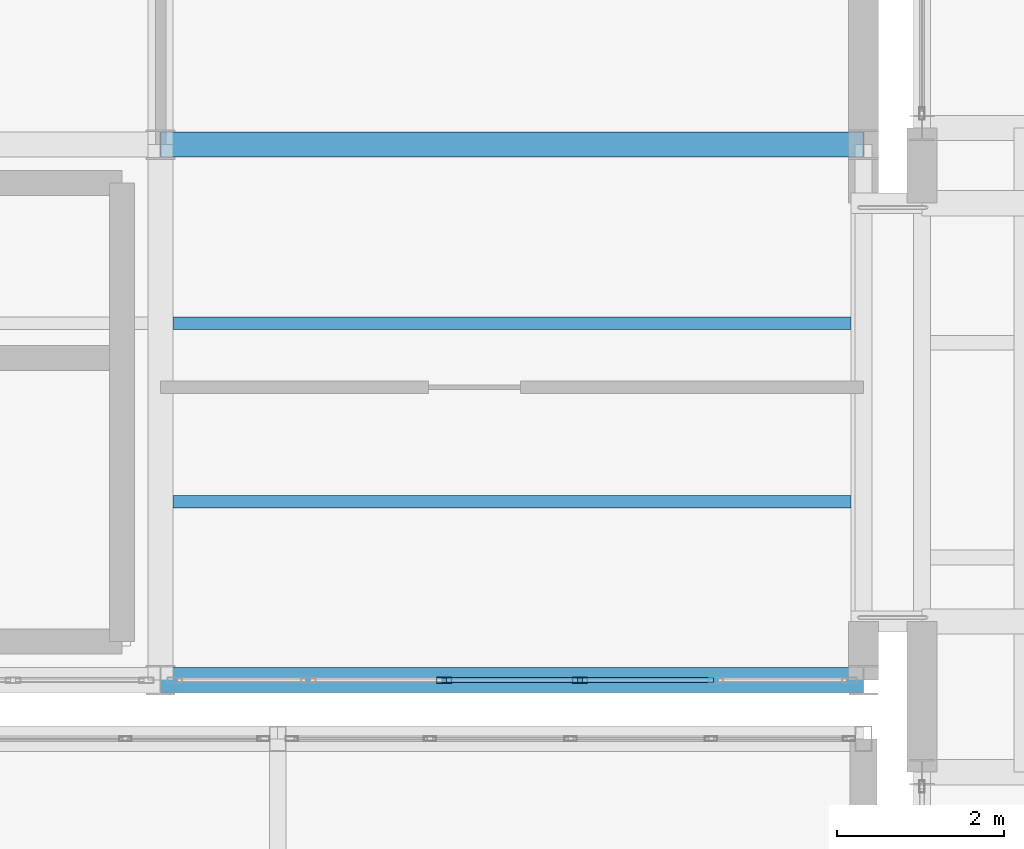
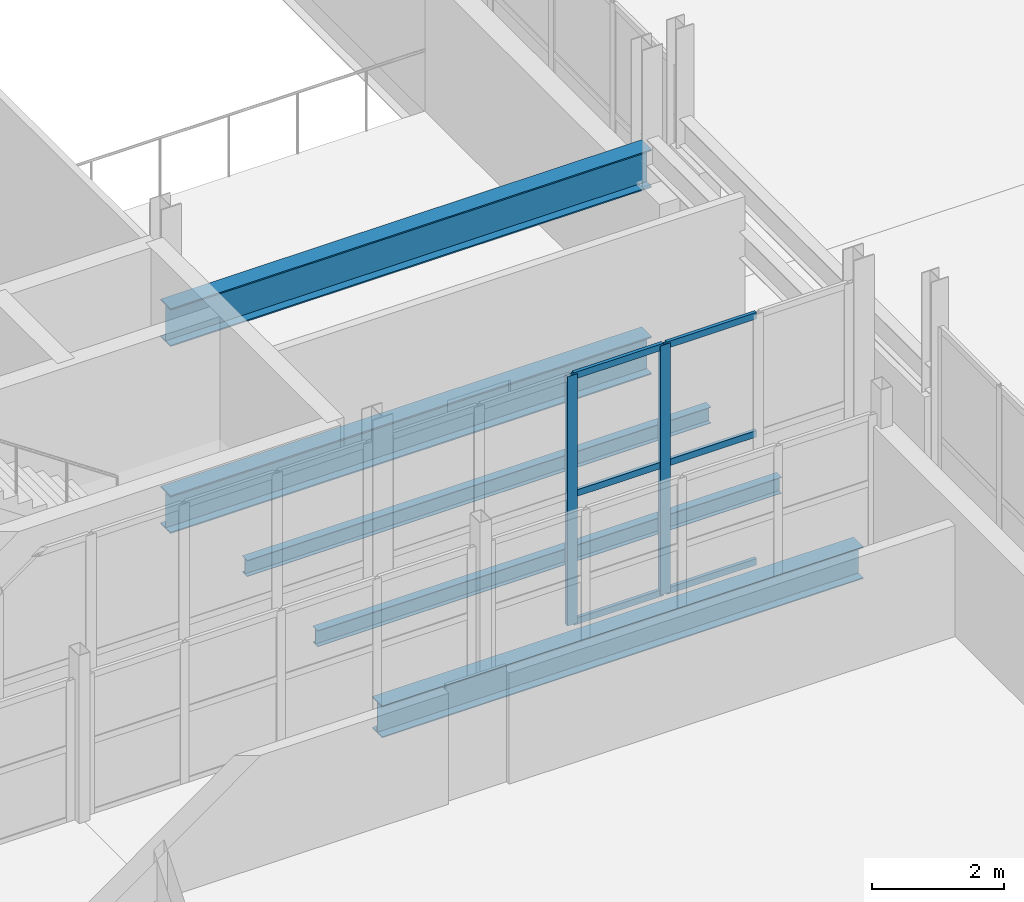
# One storey, part 110 of 218: 8 members, 5 beams, 1 element without a shape of its own.
"""IFC4 building model written with IfcOpenShell, lengths in metres."""

from ifc_helpers import new_model, si_unit, direction, frame, origin, origin_2d, place, context, subcontext, project, spatial, hollow_rectangle, i_section, extrude, material, material_profile, profile_set, type_object, element, aggregate, save


model = new_model("IFC4")

# Units and contexts
model_context = context("Model", 3, precision=1e-05, world=origin(), true_north=direction((0.0, 1.0)))
body_context = subcontext(model_context, "Body", "Model", "MODEL_VIEW")
ifc_project = project(units=[si_unit("LENGTHUNIT", "METRE"), si_unit("AREAUNIT", "SQUARE_METRE"), si_unit("VOLUMEUNIT", "CUBIC_METRE"), si_unit("PLANEANGLEUNIT", "RADIAN"), si_unit("MASSUNIT", "GRAM", prefix="KILO")], contexts=[model_context])

# Site, building, storey
site_placement = place(None, origin())
site = spatial("IfcSite", under=ifc_project, at=site_placement, CompositionType="ELEMENT")
building_placement = place(site_placement, origin())
building = spatial("IfcBuilding", under=site, at=building_placement, Name="Kazenagashi Tramway Depot", CompositionType="ELEMENT")
storey_placement = place(building_placement, frame((0.0, 0.0, 6.0)))
storey = spatial("IfcBuildingStorey", under=building, at=storey_placement, Name="L02", CompositionType="ELEMENT", Elevation=6.0)

# Beams
ifc_material_1 = material(Name="Steel SN490B", Category="steel")
ifc_material_profile_1 = material_profile(ifc_material_1, i_section(OverallWidth=0.3, OverallDepth=0.7, WebThickness=0.013, FlangeThickness=0.024, at=origin_2d()), Name="H-700x300x13x24")
ifc_profile_set_1 = profile_set([ifc_material_profile_1], Name="Steel SN490B")
beam_type_1 = type_object("IfcBeamType", Name="G-02", PredefinedType="BEAM", material=ifc_profile_set_1)
for number, where, z_axis, x_axis, name in (
    (1, (137.2, 22.9, -0.6), (1.0, 0.0, 0.0), (0.0, 1.0, 0.0), "Beam G-02 BM-1017"),
    (2, (137.2, 22.9, 2.85), (1.0, 0.0, 0.0), (0.0, 1.0, 0.0), "Beam G-02 BM-1160"),
):
    element("IfcBeam", number, at=place(storey_placement, frame(where, z_axis=z_axis, x_axis=x_axis)), inside=storey, type_object=beam_type_1, Name=name, PredefinedType="BEAM", context=body_context, shape_type="SweptSolid", body=[
        extrude(i_section(OverallWidth=0.3, OverallDepth=0.7, WebThickness=0.013, FlangeThickness=0.024, at=origin_2d()), origin(), (0.0, 0.0, 1.0), 8.4),
    ])
ifc_material_2 = material(Name="Steel SN400B", Category="steel")
ifc_material_profile_2 = material_profile(ifc_material_2, i_section(OverallWidth=0.15, OverallDepth=0.3, WebThickness=0.0065, FlangeThickness=0.009, at=origin_2d()), Name="H-300x150x6.5x9")
ifc_profile_set_2 = profile_set([ifc_material_profile_2], Name="Steel SN400B")
beam_type_2 = type_object("IfcBeamType", Name="J-02", PredefinedType="JOIST", material=ifc_profile_set_2)
for number, where, z_axis, x_axis, name in (
    (3, (137.35, 18.633, -0.4), (1.0, 0.0, 0.0), (0.0, 1.0, 0.0), "Beam J-02 BM-1095"),
    (4, (137.35, 20.767, -0.4), (1.0, 0.0, 0.0), (0.0, 1.0, 0.0), "Beam J-02 BM-1096"),
):
    element("IfcBeam", number, at=place(storey_placement, frame(where, z_axis=z_axis, x_axis=x_axis)), inside=storey, type_object=beam_type_2, Name=name, PredefinedType="JOIST", context=body_context, shape_type="SweptSolid", body=[
        extrude(i_section(OverallWidth=0.15, OverallDepth=0.3, WebThickness=0.0065, FlangeThickness=0.009, at=origin_2d()), origin(), (0.0, 0.0, 1.0), 8.1),
    ])

# Curtain wall, members
ifc_material_3 = material(Name="Anodised Aluminium and Low-E Glazing", Category="aluminium")
curtain_wall_type = type_object("IfcCurtainWallType", Name="CW-20", PredefinedType="USERDEFINED", material=ifc_material_3)
curtain_wall_placement = place(storey_placement, origin())
curtain_wall = element("IfcCurtainWall", 5, at=curtain_wall_placement, inside=storey, type_object=curtain_wall_type, Name="Industrial Glazed Screen CW-20 CW-0106", ObjectType="GLAZED SCREEN", PredefinedType="USERDEFINED")
ifc_material_4 = material(Name="Anodised Aluminium", Category="aluminium")
ifc_material_profile_3 = material_profile(ifc_material_4, hollow_rectangle(XDim=0.07, YDim=0.18, WallThickness=0.005, at=origin_2d()), Name="RHS-180x70x5")
ifc_profile_set_3 = profile_set([ifc_material_profile_3], Name="Anodised Aluminium")
member_type_1 = type_object("IfcMemberType", Name="ML-02", PredefinedType="MULLION", material=ifc_profile_set_3)
member_1_placement = place(storey_placement, frame((140.588, 16.5, 0.0), z_axis=(0.0, 0.0, 1.0), x_axis=(0.0, 1.0, 0.0)))
member_1 = element("IfcMember", 6, at=member_1_placement, type_object=member_type_1, Name="CW-20 mullion 3", PredefinedType="MULLION", context=body_context, shape_type="SweptSolid", body=[
    extrude(hollow_rectangle(XDim=0.07, YDim=0.18, WallThickness=0.005, at=origin_2d()), origin(), (0.0, 0.0, 1.0), 4.6),
])
member_2_placement = place(storey_placement, frame((142.212, 16.5, 0.0), z_axis=(0.0, 0.0, 1.0), x_axis=(0.0, 1.0, 0.0)))
member_2 = element("IfcMember", 7, at=member_2_placement, type_object=member_type_1, Name="CW-20 mullion 4", PredefinedType="MULLION", context=body_context, shape_type="SweptSolid", body=[
    extrude(hollow_rectangle(XDim=0.07, YDim=0.18, WallThickness=0.005, at=origin_2d()), origin(), (0.0, 0.0, 1.0), 4.6),
])

# Beam
ifc_material_profile_4 = material_profile(ifc_material_1, i_section(OverallWidth=0.3, OverallDepth=0.588, WebThickness=0.012, FlangeThickness=0.02, at=origin_2d()), Name="H-588x300x12x20")
ifc_profile_set_4 = profile_set([ifc_material_profile_4], Name="Steel SN490B")
beam_type_3 = type_object("IfcBeamType", Name="SP-01", PredefinedType="SPANDREL", material=ifc_profile_set_4)
beam_placement = place(storey_placement, frame((137.2, 16.5, -0.544), z_axis=(1.0, 0.0, 0.0), x_axis=(0.0, 1.0, 0.0)))
element("IfcBeam", 8, at=beam_placement, inside=storey, type_object=beam_type_3, Name="Beam SP-01 BM-1005", PredefinedType="SPANDREL", context=body_context, shape_type="SweptSolid", body=[
    extrude(i_section(OverallWidth=0.3, OverallDepth=0.588, WebThickness=0.012, FlangeThickness=0.02, at=origin_2d()), origin(), (0.0, 0.0, 1.0), 8.4),
])

# Member
ifc_material_profile_5 = material_profile(ifc_material_4, hollow_rectangle(XDim=0.06, YDim=0.12, WallThickness=0.004, at=origin_2d()), Name="RHS-120x60x4")
ifc_profile_set_5 = profile_set([ifc_material_profile_5], Name="Anodised Aluminium")
member_type_2 = type_object("IfcMemberType", Name="TR-01", PredefinedType="USERDEFINED", material=ifc_profile_set_5)
member_3_placement = place(storey_placement, frame((140.618, 16.5, 0.03), z_axis=(1.0, 0.0, 0.0), x_axis=(0.0, 1.0, 0.0)))
member_3 = element("IfcMember", 9, at=member_3_placement, type_object=member_type_2, Name="CW-20 transom 3.1", ObjectType="TRANSOM", PredefinedType="USERDEFINED", context=body_context, shape_type="SweptSolid", body=[
    extrude(hollow_rectangle(XDim=0.06, YDim=0.12, WallThickness=0.004, at=origin_2d()), origin(), (0.0, 0.0, 1.0), 1.564),
])

member_4_placement = place(storey_placement, frame((140.618, 16.5, 2.392), z_axis=(1.0, 0.0, 0.0), x_axis=(0.0, 1.0, 0.0)))
member_4 = element("IfcMember", 10, at=member_4_placement, type_object=member_type_2, Name="CW-20 transom 3.2", ObjectType="TRANSOM", PredefinedType="USERDEFINED", context=body_context, shape_type="SweptSolid", body=[
    extrude(hollow_rectangle(XDim=0.06, YDim=0.12, WallThickness=0.004, at=origin_2d()), origin(), (0.0, 0.0, 1.0), 1.564),
])

member_5_placement = place(storey_placement, frame((140.618, 16.5, 4.57), z_axis=(1.0, 0.0, 0.0), x_axis=(0.0, 1.0, 0.0)))
member_5 = element("IfcMember", 11, at=member_5_placement, type_object=member_type_2, Name="CW-20 transom 3.3", ObjectType="TRANSOM", PredefinedType="USERDEFINED", context=body_context, shape_type="SweptSolid", body=[
    extrude(hollow_rectangle(XDim=0.06, YDim=0.12, WallThickness=0.004, at=origin_2d()), origin(), (0.0, 0.0, 1.0), 1.564),
])

member_6_placement = place(storey_placement, frame((142.242, 16.5, 0.03), z_axis=(1.0, 0.0, 0.0), x_axis=(0.0, 1.0, 0.0)))
member_6 = element("IfcMember", 12, at=member_6_placement, type_object=member_type_2, Name="CW-20 transom 4.1", ObjectType="TRANSOM", PredefinedType="USERDEFINED", context=body_context, shape_type="SweptSolid", body=[
    extrude(hollow_rectangle(XDim=0.06, YDim=0.12, WallThickness=0.004, at=origin_2d()), origin(), (0.0, 0.0, 1.0), 1.564),
])

member_7_placement = place(storey_placement, frame((142.242, 16.5, 2.392), z_axis=(1.0, 0.0, 0.0), x_axis=(0.0, 1.0, 0.0)))
member_7 = element("IfcMember", 13, at=member_7_placement, type_object=member_type_2, Name="CW-20 transom 4.2", ObjectType="TRANSOM", PredefinedType="USERDEFINED", context=body_context, shape_type="SweptSolid", body=[
    extrude(hollow_rectangle(XDim=0.06, YDim=0.12, WallThickness=0.004, at=origin_2d()), origin(), (0.0, 0.0, 1.0), 1.564),
])

member_8_placement = place(storey_placement, frame((142.242, 16.5, 4.57), z_axis=(1.0, 0.0, 0.0), x_axis=(0.0, 1.0, 0.0)))
member_8 = element("IfcMember", 14, at=member_8_placement, type_object=member_type_2, Name="CW-20 transom 4.3", ObjectType="TRANSOM", PredefinedType="USERDEFINED", context=body_context, shape_type="SweptSolid", body=[
    extrude(hollow_rectangle(XDim=0.06, YDim=0.12, WallThickness=0.004, at=origin_2d()), origin(), (0.0, 0.0, 1.0), 1.564),
])

aggregate(curtain_wall, [member_1, member_2, member_3, member_4, member_5, member_6, member_7, member_8])

save(model, "model.ifc")
